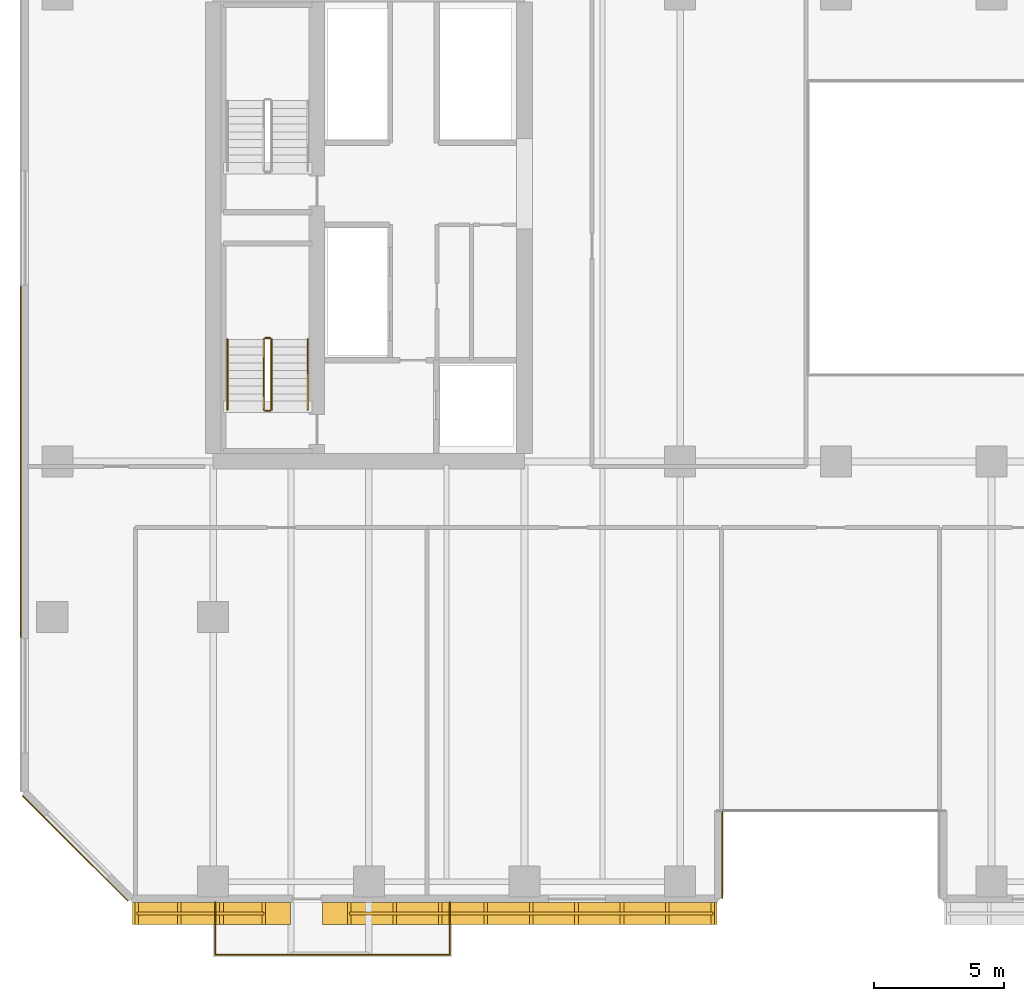
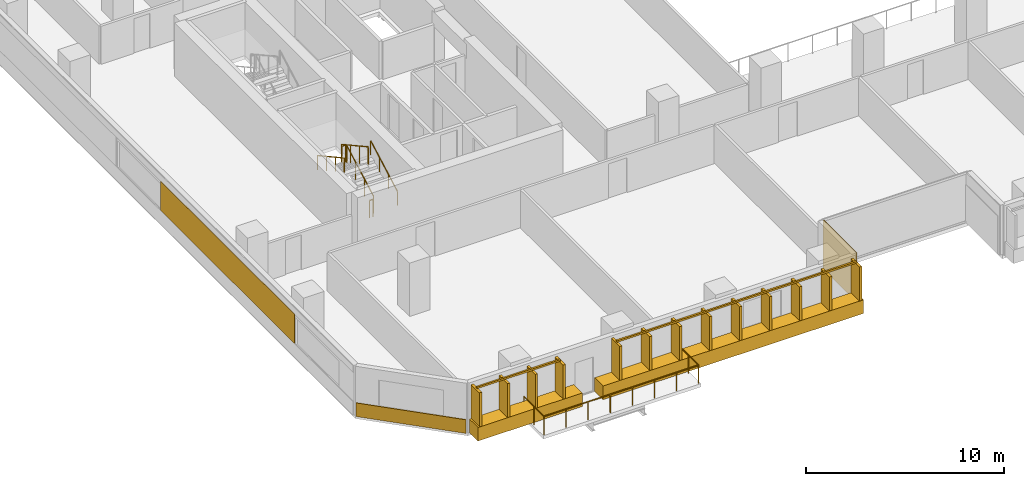
# One storey, part 17 of 25: 9 railings, 5 coverings.
"""IFC4 building model written with IfcOpenShell, lengths in metres."""

from ifc_helpers import new_model, si_unit, direction, frame, origin, origin_2d, place, context, subcontext, project, spatial, rectangle, extrude, material, layer, layer_set, type_object, element, save


model = new_model("IFC4")

# Units and contexts
model_context = context("Model", 3, precision=1e-05, world=origin(), true_north=direction((0.0, 1.0)))
body_context = subcontext(model_context, "Body", "Model", "MODEL_VIEW")
ifc_project = project(units=[si_unit("LENGTHUNIT", "METRE"), si_unit("AREAUNIT", "SQUARE_METRE"), si_unit("VOLUMEUNIT", "CUBIC_METRE"), si_unit("PLANEANGLEUNIT", "RADIAN"), si_unit("MASSUNIT", "GRAM", prefix="KILO")], contexts=[model_context])

# Site, building, storey
site_placement = place(None, origin())
site = spatial("IfcSite", under=ifc_project, at=site_placement, CompositionType="ELEMENT")
building_placement = place(site_placement, origin())
building = spatial("IfcBuilding", under=site, at=building_placement, Name="Tanjung Sevakor Pilgrim Tower", CompositionType="ELEMENT")
storey_placement = place(building_placement, frame((0.0, 0.0, 42.239990234375)))
storey = spatial("IfcBuildingStorey", under=building, at=storey_placement, Name="L11", CompositionType="ELEMENT", Elevation=42.239990234375)

# Coverings
ifc_material_1 = material(Name="Reconstructed Limestone Cladding", Category="masonry")
ifc_layer = layer(ifc_material_1, 0.044921875)
ifc_layer_set = layer_set([ifc_layer], Name="COV-CLAD-LIMESTONE")
covering_type = type_object("IfcCoveringType", Name="COV-CLAD-LIMESTONE", PredefinedType="CLADDING", material=ifc_layer_set)
covering_1_placement = place(storey_placement, frame((23.944091796875, 7.169921875, 0.009765625), z_axis=(0.0, 0.0, 1.0), x_axis=(1.0, 0.0, 0.0)))
element("IfcCovering", 1, at=covering_1_placement, inside=storey, type_object=covering_type, Name="L11 Warm Limestone Sill Spandrel EW-L11-MAIN-1-1", PredefinedType="CLADDING", context=body_context, shape_type="SweptSolid", body=[
    extrude(rectangle(XDim=6.092041015625, YDim=0.860107421875, at=origin_2d()), origin(), (0.0, 0.0, 1.0), 0.840087890625),
])
covering_2_placement = place(storey_placement, frame((35.81494140625, 7.169921875, 0.009765625), z_axis=(0.0, 0.0, 1.0), x_axis=(1.0, 0.0, 0.0)))
element("IfcCovering", 2, at=covering_2_placement, inside=storey, type_object=covering_type, Name="L11 Warm Limestone Sill Spandrel EW-L11-MAIN-1-2", PredefinedType="CLADDING", context=body_context, shape_type="SweptSolid", body=[
    extrude(rectangle(XDim=15.2099609375, YDim=0.860107421875, at=origin_2d()), origin(), (0.0, 0.0, 1.0), 0.840087890625),
])
covering_3_placement = place(storey_placement, frame((43.62255859375, 9.43994140625, 0.02001953125), z_axis=(0.0, 0.0, 1.0), x_axis=(0.0, 1.0, 0.0)))
element("IfcCovering", 3, at=covering_3_placement, inside=storey, type_object=covering_type, Name="L11 Warm Limestone Wall Cladding EW-L11-MAIN-2", PredefinedType="CLADDING", context=body_context, shape_type="SweptSolid", body=[
    extrude(rectangle(XDim=3.360107421875, YDim=0.044921875, at=origin_2d()), origin(), (0.0, 0.0, 1.0), 3.0400390625),
])
covering_4_placement = place(storey_placement, frame((16.577392578125, 24.58447265625, 0.85009765625), z_axis=(0.0, 0.0, 1.0), x_axis=(0.0, -1.0, 0.0)))
element("IfcCovering", 4, at=covering_4_placement, inside=storey, type_object=covering_type, Name="L11 Warm Limestone Pier Panel EW-L11-MAIN-15-2", PredefinedType="CLADDING", context=body_context, shape_type="SweptSolid", body=[
    extrude(rectangle(XDim=13.531005859375, YDim=0.044921875, at=origin_2d()), origin(), (0.0, 0.0, 1.0), 1.81005859375),
])
covering_5_placement = place(storey_placement, frame((18.68408203125, 9.68408203125, 0.009765625), z_axis=(0.0, 0.0, 1.0), x_axis=(0.707106781187, -0.707106781187, 0.0)))
element("IfcCovering", 5, at=covering_5_placement, inside=storey, type_object=covering_type, Name="L11 Warm Limestone Sill Spandrel EW-CHM-L11-MAIN-15-1", PredefinedType="CLADDING", context=body_context, shape_type="SweptSolid", body=[
    extrude(rectangle(XDim=5.74365234375, YDim=0.044921875, at=origin_2d()), origin(), (0.0, 0.0, 1.0), 0.840087890625),
])

# Railings
ifc_material_2 = material(Name="Laminated Glass and Aluminium", Category="aluminium")
railing_type_1 = type_object("IfcRailingType", Name="RL-BAL-BALUST", PredefinedType="BALUSTRADE", material=ifc_material_2)
railing_1_placement = place(storey_placement, frame((24.080078125, 7.60009765625, 0.0)))
element("IfcRailing", 6, at=railing_1_placement, inside=storey, type_object=railing_type_1, Name="L11 Loggia Balustrade MAIN-S1", PredefinedType="BALUSTRADE", context=body_context, shape_type="SweptSolid", body=[
    extrude(rectangle(XDim=0.0479, YDim=0.0479), frame((0.0, 0.0, 1.1259765625), z_axis=(0.0, -1.0, 0.0), x_axis=(1.0, 0.0, 0.0)), (0.0, 0.0, 1.0), 2.02001953125),
    extrude(rectangle(XDim=0.0479, YDim=0.0479), frame((0.0, -2.02001953125, 1.1259765625), z_axis=(1.0, 0.0, 0.0), x_axis=(0.0, 1.0, 0.0)), (0.0, 0.0, 1.0), 9.0400390625),
    extrude(rectangle(XDim=0.0479, YDim=0.0479), frame((9.0400390625, -2.02001953125, 1.1259765625), z_axis=(0.0, 1.0, 0.0), x_axis=(-1.0, 0.0, 0.0)), (0.0, 0.0, 1.0), 2.02001953125),
    extrude(rectangle(XDim=0.042, YDim=0.042), origin(), (0.0, 0.0, 1.0), 1.101806640625),
    extrude(rectangle(XDim=0.042, YDim=0.042), frame((0.0, -1.010009765625, 0.0)), (0.0, 0.0, 1.0), 1.101806640625),
    extrude(rectangle(XDim=0.042, YDim=0.042), frame((0.0, -2.02001953125, 0.0)), (0.0, 0.0, 1.0), 1.101806640625),
    extrude(rectangle(XDim=0.042, YDim=0.042), frame((1.29150390625, -2.02001953125, 0.0)), (0.0, 0.0, 1.0), 1.101806640625),
    extrude(rectangle(XDim=0.042, YDim=0.042), frame((2.582763671875, -2.02001953125, 0.0)), (0.0, 0.0, 1.0), 1.101806640625),
    extrude(rectangle(XDim=0.042, YDim=0.042), frame((3.874267578125, -2.02001953125, 0.0)), (0.0, 0.0, 1.0), 1.101806640625),
    extrude(rectangle(XDim=0.042, YDim=0.042), frame((5.165771484375, -2.02001953125, 0.0)), (0.0, 0.0, 1.0), 1.101806640625),
    extrude(rectangle(XDim=0.042, YDim=0.042), frame((6.457275390625, -2.02001953125, 0.0)), (0.0, 0.0, 1.0), 1.101806640625),
    extrude(rectangle(XDim=0.042, YDim=0.042), frame((7.74853515625, -2.02001953125, 0.0)), (0.0, 0.0, 1.0), 1.101806640625),
    extrude(rectangle(XDim=0.042, YDim=0.042), frame((9.0400390625, -2.02001953125, 0.0)), (0.0, 0.0, 1.0), 1.101806640625),
    extrude(rectangle(XDim=0.042, YDim=0.042), frame((9.0400390625, -1.010009765625, 0.0)), (0.0, 0.0, 1.0), 1.101806640625),
    extrude(rectangle(XDim=0.042, YDim=0.042), frame((9.0400390625, 0.0, 0.0)), (0.0, 0.0, 1.0), 1.101806640625),
])
ifc_material_3 = material(Name="Anodised Bronze Aluminium 6063-T6", Category="aluminium")
railing_type_2 = type_object("IfcRailingType", Name="RL-FIN-SCREEN", PredefinedType="BALUSTRADE", material=ifc_material_3)
railing_2_placement = place(storey_placement, frame((21.05810546875, 7.175048828125, 0.840087890625)))
element("IfcRailing", 7, at=railing_2_placement, inside=storey, type_object=railing_type_2, Name="L11 Vertical Bronze-Gold Solar Fin Screen FNSCR-EW-L11-MAIN-1-1", PredefinedType="BALUSTRADE", context=body_context, shape_type="SweptSolid", body=[
    extrude(rectangle(XDim=0.105, YDim=0.105), frame((0.0, 0.0, 2.157470703125), z_axis=(1.0, 0.0, 0.0), x_axis=(0.0, 1.0, 0.0)), (0.0, 0.0, 1.0), 4.891845703125),
    extrude(rectangle(XDim=0.14, YDim=0.85), origin(), (0.0, 0.0, 1.0), 2.10498046875),
    extrude(rectangle(XDim=0.14, YDim=0.85), frame((1.630615234375, 0.0, 0.0)), (0.0, 0.0, 1.0), 2.10498046875),
    extrude(rectangle(XDim=0.14, YDim=0.85), frame((3.26123046875, 0.0, 0.0)), (0.0, 0.0, 1.0), 2.10498046875),
    extrude(rectangle(XDim=0.14, YDim=0.85), frame((4.891845703125, 0.0, 0.0)), (0.0, 0.0, 1.0), 2.10498046875),
])
railing_3_placement = place(storey_placement, frame((29.25, 7.175048828125, 0.840087890625)))
element("IfcRailing", 8, at=railing_3_placement, inside=storey, type_object=railing_type_2, Name="L11 Vertical Bronze-Gold Solar Fin Screen FNSCR-EW-L11-MAIN-1-2", PredefinedType="BALUSTRADE", context=body_context, shape_type="SweptSolid", body=[
    extrude(rectangle(XDim=0.105, YDim=0.105), frame((0.0, 0.0, 2.157470703125), z_axis=(1.0, 0.0, 0.0), x_axis=(0.0, 1.0, 0.0)), (0.0, 0.0, 1.0), 14.010009765625),
    extrude(rectangle(XDim=0.14, YDim=0.85), origin(), (0.0, 0.0, 1.0), 2.10498046875),
    extrude(rectangle(XDim=0.14, YDim=0.85), frame((1.751220703125, 0.0, 0.0)), (0.0, 0.0, 1.0), 2.10498046875),
    extrude(rectangle(XDim=0.14, YDim=0.85), frame((3.50244140625, 0.0, 0.0)), (0.0, 0.0, 1.0), 2.10498046875),
    extrude(rectangle(XDim=0.14, YDim=0.85), frame((5.253662109375, 0.0, 0.0)), (0.0, 0.0, 1.0), 2.10498046875),
    extrude(rectangle(XDim=0.14, YDim=0.85), frame((7.0048828125, 0.0, 0.0)), (0.0, 0.0, 1.0), 2.10498046875),
    extrude(rectangle(XDim=0.14, YDim=0.85), frame((8.75634765625, 0.0, 0.0)), (0.0, 0.0, 1.0), 2.10498046875),
    extrude(rectangle(XDim=0.14, YDim=0.85), frame((10.507568359375, 0.0, 0.0)), (0.0, 0.0, 1.0), 2.10498046875),
    extrude(rectangle(XDim=0.14, YDim=0.85), frame((12.2587890625, 0.0, 0.0)), (0.0, 0.0, 1.0), 2.10498046875),
    extrude(rectangle(XDim=0.14, YDim=0.85), frame((14.010009765625, 0.0, 0.0)), (0.0, 0.0, 1.0), 2.10498046875),
])
ifc_material_4 = material(Name="Steel S355J2", Category="steel")
railing_type_3 = type_object("IfcRailingType", Name="RL-STAIR-GUARD", PredefinedType="GUARDRAIL", material=ifc_material_4)
railing_4_placement = place(storey_placement, frame((26.25, 26.60009765625, 0.1650390625)))
element("IfcRailing", 9, at=railing_4_placement, inside=storey, type_object=railing_type_3, Name="L11 TS-W1 stair guard 1", PredefinedType="GUARDRAIL", context=body_context, shape_type="SweptSolid", body=[
    extrude(rectangle(XDim=0.0479, YDim=0.0479), frame((0.0, 0.0, 1.076171875), z_axis=(0.0, 0.876230963923, 0.481891375584), x_axis=(-1.0, 0.0, 0.0)), (0.0, 0.0, 1.0), 3.081298828125),
    extrude(rectangle(XDim=0.042, YDim=0.042), origin(), (0.0, 0.0, 1.0), 1.052001953125),
    extrude(rectangle(XDim=0.042, YDim=0.042), frame((0.0, 0.89990234375, 0.494873046875)), (0.0, 0.0, 1.0), 1.052001953125),
    extrude(rectangle(XDim=0.042, YDim=0.042), frame((0.0, 1.800048828125, 0.989990234375)), (0.0, 0.0, 1.0), 1.052001953125),
    extrude(rectangle(XDim=0.042, YDim=0.042), frame((0.0, 2.699951171875, 1.48486328125)), (0.0, 0.0, 1.0), 1.052001953125),
])
railing_5_placement = place(storey_placement, frame((26.199951171875, 29.35009765625, 1.64990234375)))
element("IfcRailing", 10, at=railing_5_placement, inside=storey, type_object=railing_type_3, Name="L11 TS-W1 stair guard 2", PredefinedType="GUARDRAIL", context=body_context, shape_type="SweptSolid", body=[
    extrude(rectangle(XDim=0.0479, YDim=0.0479), frame((0.0, 0.0, 1.076171875), z_axis=(-1.0, 0.0, 0.0), x_axis=(0.0, -1.0, 0.0)), (0.0, 0.0, 1.0), 0.199951171875),
    extrude(rectangle(XDim=0.042, YDim=0.042), origin(), (0.0, 0.0, 1.0), 1.052001953125),
    extrude(rectangle(XDim=0.042, YDim=0.042), frame((-0.199951171875, 0.0, 0.0)), (0.0, 0.0, 1.0), 1.052001953125),
])
railing_6_placement = place(storey_placement, frame((25.949951171875, 29.300048828125, 1.81494140625)))
element("IfcRailing", 11, at=railing_6_placement, inside=storey, type_object=railing_type_3, Name="L11 TS-W1 stair guard 3", PredefinedType="GUARDRAIL", context=body_context, shape_type="SweptSolid", body=[
    extrude(rectangle(XDim=0.0479, YDim=0.0479), frame((0.0, 0.0, 1.076171875), z_axis=(0.0, -0.876197507361, 0.481952205197), x_axis=(1.0, 0.0, 0.0)), (0.0, 0.0, 1.0), 3.08154296875),
    extrude(rectangle(XDim=0.042, YDim=0.042), origin(), (0.0, 0.0, 1.0), 1.052001953125),
    extrude(rectangle(XDim=0.042, YDim=0.042), frame((0.0, -0.89990234375, 0.4951171875)), (0.0, 0.0, 1.0), 1.052001953125),
    extrude(rectangle(XDim=0.042, YDim=0.042), frame((0.0, -1.800048828125, 0.989990234375)), (0.0, 0.0, 1.0), 1.052001953125),
    extrude(rectangle(XDim=0.042, YDim=0.042), frame((0.0, -2.699951171875, 1.485107421875)), (0.0, 0.0, 1.0), 1.052001953125),
])
railing_7_placement = place(storey_placement, frame((26.199951171875, 26.550048828125, 0.0)))
element("IfcRailing", 12, at=railing_7_placement, inside=storey, type_object=railing_type_3, Name="L11 TS-W1 stair guard 4", PredefinedType="GUARDRAIL", context=body_context, shape_type="SweptSolid", body=[
    extrude(rectangle(XDim=0.0479, YDim=0.0479), frame((0.0, 0.0, 1.076171875), z_axis=(-1.0, 0.0, 0.0), x_axis=(0.0, -1.0, 0.0)), (0.0, 0.0, 1.0), 0.199951171875),
    extrude(rectangle(XDim=0.042, YDim=0.042), origin(), (0.0, 0.0, 1.0), 1.052001953125),
    extrude(rectangle(XDim=0.042, YDim=0.042), frame((-0.199951171875, 0.0, 0.0)), (0.0, 0.0, 1.0), 1.052001953125),
])
ifc_material_5 = material(Name="Steel S355J2", Category="steel")
railing_type_4 = type_object("IfcRailingType", Name="RL-STAIR-HAND", PredefinedType="HANDRAIL", material=ifc_material_5)
railing_8_placement = place(storey_placement, frame((27.64990234375, 26.60009765625, 0.1650390625)))
element("IfcRailing", 13, at=railing_8_placement, inside=storey, type_object=railing_type_4, Name="L11 TS-W1 stair handrail 1", PredefinedType="HANDRAIL", context=body_context, shape_type="SweptSolid", body=[
    extrude(rectangle(XDim=0.0479, YDim=0.0479), frame((0.0, 0.0, 0.8759765625), z_axis=(0.0, 0.876230963923, 0.481891375584), x_axis=(-1.0, 0.0, 0.0)), (0.0, 0.0, 1.0), 3.081298828125),
    extrude(rectangle(XDim=0.042, YDim=0.042), origin(), (0.0, 0.0, 1.0), 0.851806640625),
    extrude(rectangle(XDim=0.042, YDim=0.042), frame((0.0, 0.89990234375, 0.494873046875)), (0.0, 0.0, 1.0), 0.851806640625),
    extrude(rectangle(XDim=0.042, YDim=0.042), frame((0.0, 1.800048828125, 0.989990234375)), (0.0, 0.0, 1.0), 0.851806640625),
    extrude(rectangle(XDim=0.042, YDim=0.042), frame((0.0, 2.699951171875, 1.48486328125)), (0.0, 0.0, 1.0), 0.851806640625),
])
railing_9_placement = place(storey_placement, frame((24.550048828125, 29.300048828125, 1.81494140625)))
element("IfcRailing", 14, at=railing_9_placement, inside=storey, type_object=railing_type_4, Name="L11 TS-W1 stair handrail 2", PredefinedType="HANDRAIL", context=body_context, shape_type="SweptSolid", body=[
    extrude(rectangle(XDim=0.0479, YDim=0.0479), frame((0.0, 0.0, 0.8759765625), z_axis=(0.0, -0.876197507361, 0.481952205197), x_axis=(1.0, 0.0, 0.0)), (0.0, 0.0, 1.0), 3.08154296875),
    extrude(rectangle(XDim=0.042, YDim=0.042), origin(), (0.0, 0.0, 1.0), 0.851806640625),
    extrude(rectangle(XDim=0.042, YDim=0.042), frame((0.0, -0.89990234375, 0.4951171875)), (0.0, 0.0, 1.0), 0.851806640625),
    extrude(rectangle(XDim=0.042, YDim=0.042), frame((0.0, -1.800048828125, 0.989990234375)), (0.0, 0.0, 1.0), 0.851806640625),
    extrude(rectangle(XDim=0.042, YDim=0.042), frame((0.0, -2.699951171875, 1.485107421875)), (0.0, 0.0, 1.0), 0.851806640625),
])

save(model, "model.ifc")
